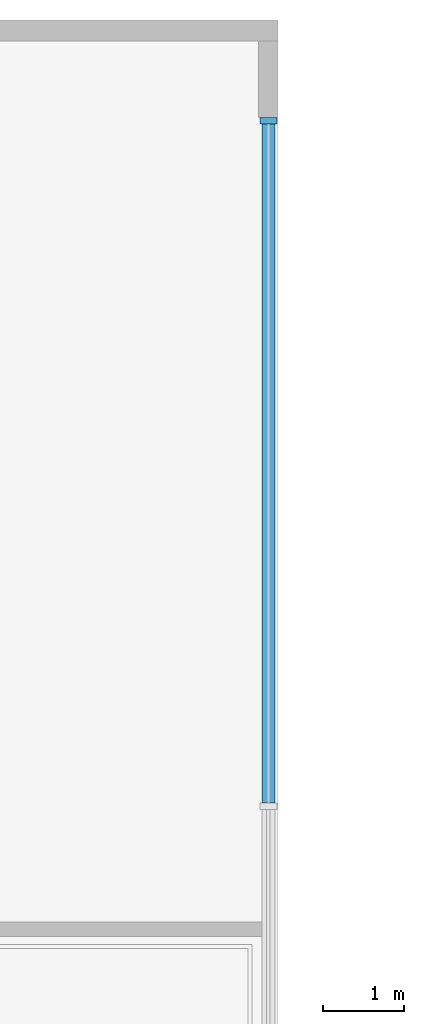
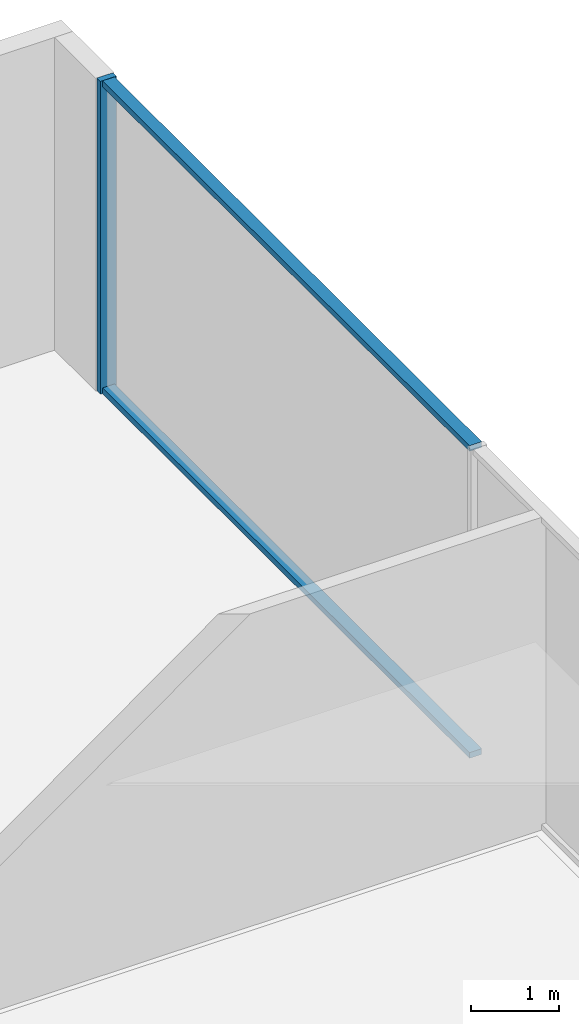
# One storey, part 7 of 13: 3 members, 1 element without a shape of its own.
"""IFC4 building model written with IfcOpenShell, lengths in metres."""

from ifc_helpers import new_model, si_unit, direction, frame, origin, origin_2d, place, context, subcontext, project, spatial, rectangle, extrude, source, transform, mapped, material, layer, layer_set, material_profile, profile_set, type_object, element, aggregate, save


model = new_model("IFC4")

# Units and contexts
model_context = context("Model", 3, precision=1e-05, world=origin(), true_north=direction((0.0, 1.0)))
body_context = subcontext(model_context, "Body", "Model", "MODEL_VIEW")
ifc_project = project(units=[si_unit("LENGTHUNIT", "METRE"), si_unit("AREAUNIT", "SQUARE_METRE"), si_unit("VOLUMEUNIT", "CUBIC_METRE"), si_unit("PLANEANGLEUNIT", "RADIAN"), si_unit("MASSUNIT", "GRAM", prefix="KILO")], contexts=[model_context])

# Site, building, storey
site_placement = place(None, origin())
site = spatial("IfcSite", under=ifc_project, at=site_placement, CompositionType="ELEMENT")
building_placement = place(site_placement, origin())
building = spatial("IfcBuilding", under=site, at=building_placement, Name="Qianlan Lanfeng Residences", CompositionType="ELEMENT")
storey_placement = place(building_placement, frame((0.0, 0.0, 5.199951171875)))
storey = spatial("IfcBuildingStorey", under=building, at=storey_placement, Name="L01", CompositionType="ELEMENT", Elevation=5.199951171875)

# Curtain wall, members
ifc_material = material(Name="Anodised Bronze Aluminium 6063-T6", Category="aluminium")
ifc_layer = layer(ifc_material, 0.219970703125)
ifc_layer_set = layer_set([ifc_layer], Name="Anodised Bronze Aluminium 6063-T6")
curtain_wall_type = type_object("IfcCurtainWallType", Name="CW-01", PredefinedType="NOTDEFINED", material=ifc_layer_set)
curtain_wall_placement = place(storey_placement, origin())
curtain_wall = element("IfcCurtainWall", 1, at=curtain_wall_placement, inside=storey, type_object=curtain_wall_type, Name="L01 Unitised Curtain Wall CWR-L01-E (CW-01)", PredefinedType="NOTDEFINED")
ifc_material_profile_1 = material_profile(ifc_material, rectangle(XDim=0.080078125, YDim=0.2099609375, at=origin_2d()), Name="ALU MULLION 80x210")
ifc_profile_set_1 = profile_set([ifc_material_profile_1], Name="Anodised Bronze Aluminium 6063-T6")
member_type_1 = type_object("IfcMemberType", Name="CWM-220", PredefinedType="MULLION", material=ifc_profile_set_1)
shared_shape_1 = source(origin(), body_context, "Body", "SweptSolid", [
    extrude(rectangle(XDim=0.080078125, YDim=0.2099609375, at=origin_2d()), origin(), (0.0, 0.0, 1.0), 4.35009765625),
])
member_1_placement = place(storey_placement, frame((61.6298828125, 43.9599609375, 0.0), z_axis=(0.0, 0.0, 1.0), x_axis=(0.0, 1.0, 0.0)))
member_1 = element("IfcMember", 2, at=member_1_placement, type_object=member_type_1, Name="CWR-L01-E Mullion 7", PredefinedType="MULLION", context=body_context, shape_type="MappedRepresentation", body=[
    mapped(shared_shape_1, transform((0.0, 0.0, 0.0), scale=1.0)),
])
ifc_material_profile_2 = material_profile(ifc_material, rectangle(XDim=0.080078125, YDim=0.159912109375, at=origin_2d()), Name="ALU TRANSOM 80x160")
ifc_profile_set_2 = profile_set([ifc_material_profile_2], Name="Anodised Bronze Aluminium 6063-T6")
member_type_2 = type_object("IfcMemberType", Name="CWT-180", PredefinedType="USERDEFINED", material=ifc_profile_set_2)
shared_shape_2 = source(origin(), body_context, "Body", "SweptSolid", [
    extrude(rectangle(XDim=0.080078125, YDim=0.159912109375, at=origin_2d()), origin(), (0.0, 0.0, 1.0), 8.36669921875),
])
member_2_placement = place(storey_placement, frame((61.6298828125, 35.55322265625, 0.0400390625), z_axis=(0.0, 1.0, 0.0), x_axis=(0.0, 0.0, 1.0)))
member_2 = element("IfcMember", 3, at=member_2_placement, type_object=member_type_2, Name="CWR-L01-E Transom 6-BOT", ObjectType="TRANSOM", PredefinedType="USERDEFINED", context=body_context, shape_type="MappedRepresentation", body=[
    mapped(shared_shape_2, transform((0.0, 0.0, 0.0), scale=1.0)),
])
member_3_placement = place(storey_placement, frame((61.6298828125, 35.55322265625, 4.31005859375), z_axis=(0.0, 1.0, 0.0), x_axis=(0.0, 0.0, 1.0)))
member_3 = element("IfcMember", 4, at=member_3_placement, type_object=member_type_2, Name="CWR-L01-E Transom 6-TOP", ObjectType="TRANSOM", PredefinedType="USERDEFINED", context=body_context, shape_type="MappedRepresentation", body=[
    mapped(shared_shape_2, transform((0.0, 0.0, 0.0), scale=1.0)),
])
aggregate(curtain_wall, [member_1, member_2, member_3])

save(model, "model.ifc")
